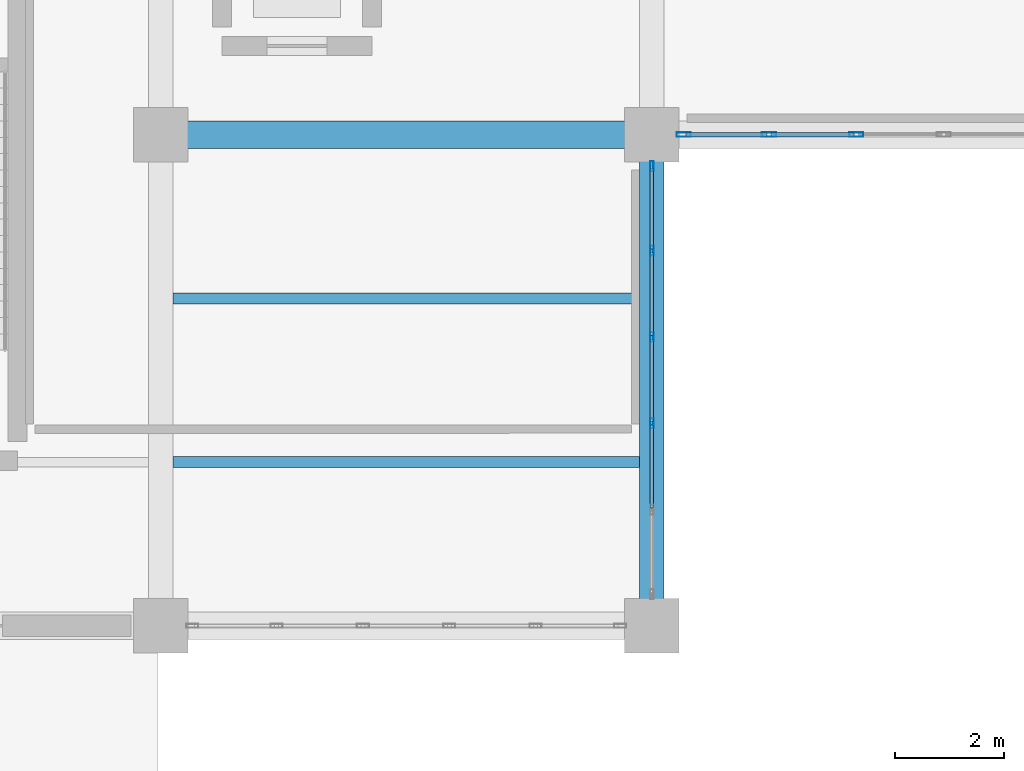
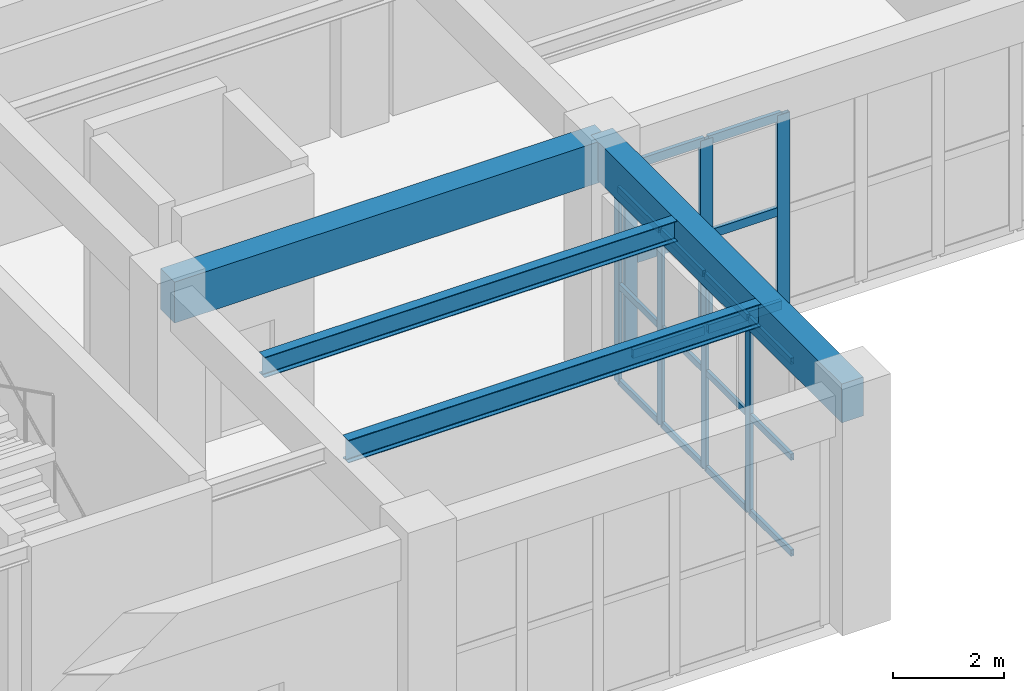
# One storey, part 81 of 140: 25 members, 4 beams, 2 elements without a shape of their own.
"""IFC4 building model written with IfcOpenShell, lengths in metres."""

from ifc_helpers import new_model, si_unit, direction, frame, origin, origin_2d, place, context, subcontext, project, spatial, rectangle, hollow_rectangle, i_section, extrude, material, material_profile, profile_set, type_object, element, aggregate, save


model = new_model("IFC4")

# Units and contexts
model_context = context("Model", 3, precision=1e-05, world=origin(), true_north=direction((0.0, 1.0)))
body_context = subcontext(model_context, "Body", "Model", "MODEL_VIEW")
ifc_project = project(units=[si_unit("LENGTHUNIT", "METRE"), si_unit("AREAUNIT", "SQUARE_METRE"), si_unit("VOLUMEUNIT", "CUBIC_METRE"), si_unit("PLANEANGLEUNIT", "RADIAN"), si_unit("MASSUNIT", "GRAM", prefix="KILO")], contexts=[model_context])

# Site, building, storey
site_placement = place(None, origin())
site = spatial("IfcSite", under=ifc_project, at=site_placement, CompositionType="ELEMENT")
building_placement = place(site_placement, origin())
building = spatial("IfcBuilding", under=site, at=building_placement, Name="Haizhuo Lancet Aquarium", CompositionType="ELEMENT")
storey_placement = place(building_placement, origin())
storey = spatial("IfcBuildingStorey", under=building, at=storey_placement, Name="L00", CompositionType="ELEMENT", Elevation=0.0)

# Beams
ifc_material_1 = material(Name="Concrete C40/50", Category="concrete")
ifc_material_profile_1 = material_profile(ifc_material_1, rectangle(XDim=0.449951171875, YDim=0.85009765625, at=origin_2d()), Name="RC-BM 450x850")
ifc_profile_set_1 = profile_set([ifc_material_profile_1], Name="Concrete C40/50")
beam_type_1 = type_object("IfcBeamType", Name="BM-RC-450x850", PredefinedType="BEAM", material=ifc_profile_set_1)
beam_1_placement = place(storey_placement, frame((72.0, -27.0, 4.695068359375), z_axis=(0.0, 1.0, 0.0), x_axis=(-1.0, 0.0, 0.0)))
element("IfcBeam", 1, at=beam_1_placement, inside=storey, type_object=beam_type_1, Name="L00 V3 primary girder BM-L00-V3-031", PredefinedType="BEAM", context=body_context, shape_type="SweptSolid", body=[
    extrude(rectangle(XDim=0.449951171875, YDim=0.85009765625, at=origin_2d()), origin(), (0.0, 0.0, 1.0), 9.0),
])
ifc_material_profile_2 = material_profile(ifc_material_1, rectangle(XDim=0.5, YDim=0.89990234375, at=origin_2d()), Name="RC-BM 500x900")
ifc_profile_set_2 = profile_set([ifc_material_profile_2], Name="Concrete C40/50")
beam_type_2 = type_object("IfcBeamType", Name="BM-RC-500x900", PredefinedType="BEAM", material=ifc_profile_set_2)
beam_2_placement = place(storey_placement, frame((63.0, -18.0, 4.669921875), z_axis=(1.0, 0.0, 0.0), x_axis=(0.0, 1.0, 0.0)))
element("IfcBeam", 2, at=beam_2_placement, inside=storey, type_object=beam_type_2, Name="L00 V3 primary girder BM-L00-V3-029", PredefinedType="BEAM", context=body_context, shape_type="SweptSolid", body=[
    extrude(rectangle(XDim=0.5, YDim=0.89990234375, at=origin_2d()), origin(), (0.0, 0.0, 1.0), 9.0),
])

# Curtain wall, members
ifc_material_2 = material(Name="Aluminium 6063-T6", Category="aluminium")
curtain_wall_type_1 = type_object("IfcCurtainWallType", Name="CWO-7910x4270", PredefinedType="NOTDEFINED", material=ifc_material_2)
curtain_wall_1_placement = place(storey_placement, origin())
curtain_wall_1 = element("IfcCurtainWall", 3, at=curtain_wall_1_placement, inside=storey, type_object=curtain_wall_type_1, Name="L00 curtain wall CW-V3-L00-034", PredefinedType="NOTDEFINED")
ifc_material_profile_3 = material_profile(ifc_material_2, hollow_rectangle(XDim=0.06494140625, YDim=0.179931640625, WallThickness=0.00390625, at=origin_2d()), Name="ALU-M 65x180x4")
ifc_profile_set_3 = profile_set([ifc_material_profile_3], Name="Aluminium 6063-T6")
member_type_1 = type_object("IfcMemberType", Name="CW-MUL-1", PredefinedType="MULLION", material=ifc_profile_set_3)
member_1_placement = place(storey_placement, frame((72.0, -18.577880859375, 0.0), z_axis=(0.0, 0.0, 1.0), x_axis=(1.0, 0.0, 0.0)))
member_1 = element("IfcMember", 4, at=member_1_placement, type_object=member_type_1, Name="CWO-79x42 mullion 1", PredefinedType="MULLION", context=body_context, shape_type="SweptSolid", body=[
    extrude(hollow_rectangle(XDim=0.06494140625, YDim=0.179931640625, WallThickness=0.00390625, at=origin_2d()), origin(), (0.0, 0.0, 1.0), 4.27001953125),
])
member_2_placement = place(storey_placement, frame((72.0, -20.126953125, 0.0), z_axis=(0.0, 0.0, 1.0), x_axis=(1.0, 0.0, 0.0)))
member_2 = element("IfcMember", 5, at=member_2_placement, type_object=member_type_1, Name="CWO-79x42 mullion 2", PredefinedType="MULLION", context=body_context, shape_type="SweptSolid", body=[
    extrude(hollow_rectangle(XDim=0.06494140625, YDim=0.179931640625, WallThickness=0.00390625, at=origin_2d()), origin(), (0.0, 0.0, 1.0), 4.27001953125),
])
member_3_placement = place(storey_placement, frame((72.0, -21.708984375, 0.0), z_axis=(0.0, 0.0, 1.0), x_axis=(1.0, 0.0, 0.0)))
member_3 = element("IfcMember", 6, at=member_3_placement, type_object=member_type_1, Name="CWO-79x42 mullion 3", PredefinedType="MULLION", context=body_context, shape_type="SweptSolid", body=[
    extrude(hollow_rectangle(XDim=0.06494140625, YDim=0.179931640625, WallThickness=0.00390625, at=origin_2d()), origin(), (0.0, 0.0, 1.0), 4.27001953125),
])
member_4_placement = place(storey_placement, frame((72.0, -23.291015625, 0.0), z_axis=(0.0, 0.0, 1.0), x_axis=(1.0, 0.0, 0.0)))
member_4 = element("IfcMember", 7, at=member_4_placement, type_object=member_type_1, Name="CWO-79x42 mullion 4", PredefinedType="MULLION", context=body_context, shape_type="SweptSolid", body=[
    extrude(hollow_rectangle(XDim=0.06494140625, YDim=0.179931640625, WallThickness=0.00390625, at=origin_2d()), origin(), (0.0, 0.0, 1.0), 4.27001953125),
])

curtain_wall_type_2 = type_object("IfcCurtainWallType", Name="CWO-9610x4220", PredefinedType="NOTDEFINED", material=ifc_material_2)
curtain_wall_2_placement = place(storey_placement, origin())
curtain_wall_2 = element("IfcCurtainWall", 8, at=curtain_wall_2_placement, inside=storey, type_object=curtain_wall_type_2, Name="L00 curtain wall CW-V3-L00-033", PredefinedType="NOTDEFINED")
ifc_material_profile_4 = material_profile(ifc_material_2, hollow_rectangle(XDim=0.080078125, YDim=0.260009765625, WallThickness=0.0048828125, at=origin_2d()), Name="ALU-M 80x260x5")
ifc_profile_set_4 = profile_set([ifc_material_profile_4], Name="Aluminium 6063-T6")
member_type_2 = type_object("IfcMemberType", Name="CW-MUL-3", PredefinedType="MULLION", material=ifc_profile_set_4)
member_5_placement = place(storey_placement, frame((75.748046875, -18.0, 0.0), z_axis=(0.0, 0.0, 1.0), x_axis=(0.0, -1.0, 0.0)))
member_5 = element("IfcMember", 9, at=member_5_placement, type_object=member_type_2, Name="CWO-96x42 mullion 5", PredefinedType="MULLION", context=body_context, shape_type="SweptSolid", body=[
    extrude(hollow_rectangle(XDim=0.080078125, YDim=0.260009765625, WallThickness=0.0048828125, at=origin_2d()), origin(), (0.0, 0.0, 1.0), 4.219970703125),
])
member_6_placement = place(storey_placement, frame((74.14697265625, -18.0, 0.0), z_axis=(0.0, 0.0, 1.0), x_axis=(0.0, -1.0, 0.0)))
member_6 = element("IfcMember", 10, at=member_6_placement, type_object=member_type_2, Name="CWO-96x42 mullion 6", PredefinedType="MULLION", context=body_context, shape_type="SweptSolid", body=[
    extrude(hollow_rectangle(XDim=0.080078125, YDim=0.260009765625, WallThickness=0.0048828125, at=origin_2d()), origin(), (0.0, 0.0, 1.0), 4.219970703125),
])
member_7_placement = place(storey_placement, frame((72.5849609375, -18.0, 0.0), z_axis=(0.0, 0.0, 1.0), x_axis=(0.0, -1.0, 0.0)))
member_7 = element("IfcMember", 11, at=member_7_placement, type_object=member_type_2, Name="CWO-96x42 mullion 7", PredefinedType="MULLION", context=body_context, shape_type="SweptSolid", body=[
    extrude(hollow_rectangle(XDim=0.080078125, YDim=0.260009765625, WallThickness=0.0048828125, at=origin_2d()), origin(), (0.0, 0.0, 1.0), 4.219970703125),
])

# Member
ifc_material_profile_5 = material_profile(ifc_material_2, hollow_rectangle(XDim=0.06494140625, YDim=0.139892578125, WallThickness=0.00390625, at=origin_2d()), Name="ALU-T 65x140x4")
ifc_profile_set_5 = profile_set([ifc_material_profile_5], Name="Aluminium 6063-T6")
member_type_3 = type_object("IfcMemberType", Name="CW-TRN-1", PredefinedType="NOTDEFINED", material=ifc_profile_set_5)
member_8_placement = place(storey_placement, frame((72.0, -18.610107421875, 0.032958984375), z_axis=(0.0, -1.0, 0.0), x_axis=(1.0, 0.0, 0.0)))
member_8 = element("IfcMember", 12, at=member_8_placement, type_object=member_type_3, Name="CWO-79x42 transom 1.1", ObjectType="TRANSOM", PredefinedType="USERDEFINED", context=body_context, shape_type="SweptSolid", body=[
    extrude(hollow_rectangle(XDim=0.06494140625, YDim=0.139892578125, WallThickness=0.00390625, at=origin_2d()), origin(), (0.0, 0.0, 1.0), 1.48486328125),
])

member_9_placement = place(storey_placement, frame((72.0, -18.610107421875, 2.135009765625), z_axis=(0.0, -1.0, 0.0), x_axis=(1.0, 0.0, 0.0)))
member_9 = element("IfcMember", 13, at=member_9_placement, type_object=member_type_3, Name="CWO-79x42 transom 1.2", ObjectType="TRANSOM", PredefinedType="USERDEFINED", context=body_context, shape_type="SweptSolid", body=[
    extrude(hollow_rectangle(XDim=0.06494140625, YDim=0.139892578125, WallThickness=0.00390625, at=origin_2d()), origin(), (0.0, 0.0, 1.0), 1.48486328125),
])

member_10_placement = place(storey_placement, frame((72.0, -18.610107421875, 4.237060546875), z_axis=(0.0, -1.0, 0.0), x_axis=(1.0, 0.0, 0.0)))
member_10 = element("IfcMember", 14, at=member_10_placement, type_object=member_type_3, Name="CWO-79x42 transom 1.3", ObjectType="TRANSOM", PredefinedType="USERDEFINED", context=body_context, shape_type="SweptSolid", body=[
    extrude(hollow_rectangle(XDim=0.06494140625, YDim=0.139892578125, WallThickness=0.00390625, at=origin_2d()), origin(), (0.0, 0.0, 1.0), 1.48486328125),
])

member_11_placement = place(storey_placement, frame((72.0, -20.159912109375, 0.032958984375), z_axis=(0.0, -1.0, 0.0), x_axis=(1.0, 0.0, 0.0)))
member_11 = element("IfcMember", 15, at=member_11_placement, type_object=member_type_3, Name="CWO-79x42 transom 2.1", ObjectType="TRANSOM", PredefinedType="USERDEFINED", context=body_context, shape_type="SweptSolid", body=[
    extrude(hollow_rectangle(XDim=0.06494140625, YDim=0.139892578125, WallThickness=0.00390625, at=origin_2d()), origin(), (0.0, 0.0, 1.0), 1.51708984375),
])

member_12_placement = place(storey_placement, frame((72.0, -20.159912109375, 2.135009765625), z_axis=(0.0, -1.0, 0.0), x_axis=(1.0, 0.0, 0.0)))
member_12 = element("IfcMember", 16, at=member_12_placement, type_object=member_type_3, Name="CWO-79x42 transom 2.2", ObjectType="TRANSOM", PredefinedType="USERDEFINED", context=body_context, shape_type="SweptSolid", body=[
    extrude(hollow_rectangle(XDim=0.06494140625, YDim=0.139892578125, WallThickness=0.00390625, at=origin_2d()), origin(), (0.0, 0.0, 1.0), 1.51708984375),
])

member_13_placement = place(storey_placement, frame((72.0, -20.159912109375, 4.237060546875), z_axis=(0.0, -1.0, 0.0), x_axis=(1.0, 0.0, 0.0)))
member_13 = element("IfcMember", 17, at=member_13_placement, type_object=member_type_3, Name="CWO-79x42 transom 2.3", ObjectType="TRANSOM", PredefinedType="USERDEFINED", context=body_context, shape_type="SweptSolid", body=[
    extrude(hollow_rectangle(XDim=0.06494140625, YDim=0.139892578125, WallThickness=0.00390625, at=origin_2d()), origin(), (0.0, 0.0, 1.0), 1.51708984375),
])

member_14_placement = place(storey_placement, frame((72.0, -21.741943359375, 0.032958984375), z_axis=(0.0, -1.0, 0.0), x_axis=(1.0, 0.0, 0.0)))
member_14 = element("IfcMember", 18, at=member_14_placement, type_object=member_type_3, Name="CWO-79x42 transom 3.1", ObjectType="TRANSOM", PredefinedType="USERDEFINED", context=body_context, shape_type="SweptSolid", body=[
    extrude(hollow_rectangle(XDim=0.06494140625, YDim=0.139892578125, WallThickness=0.00390625, at=origin_2d()), origin(), (0.0, 0.0, 1.0), 1.51708984375),
])

member_15_placement = place(storey_placement, frame((72.0, -21.741943359375, 2.135009765625), z_axis=(0.0, -1.0, 0.0), x_axis=(1.0, 0.0, 0.0)))
member_15 = element("IfcMember", 19, at=member_15_placement, type_object=member_type_3, Name="CWO-79x42 transom 3.2", ObjectType="TRANSOM", PredefinedType="USERDEFINED", context=body_context, shape_type="SweptSolid", body=[
    extrude(hollow_rectangle(XDim=0.06494140625, YDim=0.139892578125, WallThickness=0.00390625, at=origin_2d()), origin(), (0.0, 0.0, 1.0), 1.51708984375),
])

member_16_placement = place(storey_placement, frame((72.0, -21.741943359375, 4.237060546875), z_axis=(0.0, -1.0, 0.0), x_axis=(1.0, 0.0, 0.0)))
member_16 = element("IfcMember", 20, at=member_16_placement, type_object=member_type_3, Name="CWO-79x42 transom 3.3", ObjectType="TRANSOM", PredefinedType="USERDEFINED", context=body_context, shape_type="SweptSolid", body=[
    extrude(hollow_rectangle(XDim=0.06494140625, YDim=0.139892578125, WallThickness=0.00390625, at=origin_2d()), origin(), (0.0, 0.0, 1.0), 1.51708984375),
])

member_17_placement = place(storey_placement, frame((72.0, -23.322998046875, 0.032958984375), z_axis=(0.0, -1.0, 0.0), x_axis=(1.0, 0.0, 0.0)))
member_17 = element("IfcMember", 21, at=member_17_placement, type_object=member_type_3, Name="CWO-79x42 transom 4.1", ObjectType="TRANSOM", PredefinedType="USERDEFINED", context=body_context, shape_type="SweptSolid", body=[
    extrude(hollow_rectangle(XDim=0.06494140625, YDim=0.139892578125, WallThickness=0.00390625, at=origin_2d()), origin(), (0.0, 0.0, 1.0), 1.51708984375),
])

member_18_placement = place(storey_placement, frame((72.0, -23.322998046875, 2.135009765625), z_axis=(0.0, -1.0, 0.0), x_axis=(1.0, 0.0, 0.0)))
member_18 = element("IfcMember", 22, at=member_18_placement, type_object=member_type_3, Name="CWO-79x42 transom 4.2", ObjectType="TRANSOM", PredefinedType="USERDEFINED", context=body_context, shape_type="SweptSolid", body=[
    extrude(hollow_rectangle(XDim=0.06494140625, YDim=0.139892578125, WallThickness=0.00390625, at=origin_2d()), origin(), (0.0, 0.0, 1.0), 1.51708984375),
])

member_19_placement = place(storey_placement, frame((72.0, -23.322998046875, 4.237060546875), z_axis=(0.0, -1.0, 0.0), x_axis=(1.0, 0.0, 0.0)))
member_19 = element("IfcMember", 23, at=member_19_placement, type_object=member_type_3, Name="CWO-79x42 transom 4.3", ObjectType="TRANSOM", PredefinedType="USERDEFINED", context=body_context, shape_type="SweptSolid", body=[
    extrude(hollow_rectangle(XDim=0.06494140625, YDim=0.139892578125, WallThickness=0.00390625, at=origin_2d()), origin(), (0.0, 0.0, 1.0), 1.51708984375),
])

aggregate(curtain_wall_1, [member_1, member_2, member_3, member_4, member_8, member_9, member_10, member_11, member_12, member_13, member_14, member_15, member_16, member_17, member_18, member_19])

ifc_material_profile_6 = material_profile(ifc_material_2, hollow_rectangle(XDim=0.080078125, YDim=0.18994140625, WallThickness=0.0048828125, at=origin_2d()), Name="ALU-T 80x190x5")
ifc_profile_set_6 = profile_set([ifc_material_profile_6], Name="Aluminium 6063-T6")
member_type_4 = type_object("IfcMemberType", Name="CW-TRN-3", PredefinedType="NOTDEFINED", material=ifc_profile_set_6)
member_20_placement = place(storey_placement, frame((75.7080078125, -18.0, 0.0400390625), z_axis=(-1.0, 0.0, 0.0), x_axis=(0.0, -1.0, 0.0)))
member_20 = element("IfcMember", 24, at=member_20_placement, type_object=member_type_4, Name="CWO-96x42 transom 5.1", ObjectType="TRANSOM", PredefinedType="USERDEFINED", context=body_context, shape_type="SweptSolid", body=[
    extrude(hollow_rectangle(XDim=0.080078125, YDim=0.18994140625, WallThickness=0.0048828125, at=origin_2d()), origin(), (0.0, 0.0, 1.0), 1.52099609375),
])

member_21_placement = place(storey_placement, frame((75.7080078125, -18.0, 2.110107421875), z_axis=(-1.0, 0.0, 0.0), x_axis=(0.0, -1.0, 0.0)))
member_21 = element("IfcMember", 25, at=member_21_placement, type_object=member_type_4, Name="CWO-96x42 transom 5.2", ObjectType="TRANSOM", PredefinedType="USERDEFINED", context=body_context, shape_type="SweptSolid", body=[
    extrude(hollow_rectangle(XDim=0.080078125, YDim=0.18994140625, WallThickness=0.0048828125, at=origin_2d()), origin(), (0.0, 0.0, 1.0), 1.52099609375),
])

member_22_placement = place(storey_placement, frame((75.7080078125, -18.0, 4.179931640625), z_axis=(-1.0, 0.0, 0.0), x_axis=(0.0, -1.0, 0.0)))
member_22 = element("IfcMember", 26, at=member_22_placement, type_object=member_type_4, Name="CWO-96x42 transom 5.3", ObjectType="TRANSOM", PredefinedType="USERDEFINED", context=body_context, shape_type="SweptSolid", body=[
    extrude(hollow_rectangle(XDim=0.080078125, YDim=0.18994140625, WallThickness=0.0048828125, at=origin_2d()), origin(), (0.0, 0.0, 1.0), 1.52099609375),
])

member_23_placement = place(storey_placement, frame((74.10693359375, -18.0, 0.0400390625), z_axis=(-1.0, 0.0, 0.0), x_axis=(0.0, -1.0, 0.0)))
member_23 = element("IfcMember", 27, at=member_23_placement, type_object=member_type_4, Name="CWO-96x42 transom 6.1", ObjectType="TRANSOM", PredefinedType="USERDEFINED", context=body_context, shape_type="SweptSolid", body=[
    extrude(hollow_rectangle(XDim=0.080078125, YDim=0.18994140625, WallThickness=0.0048828125, at=origin_2d()), origin(), (0.0, 0.0, 1.0), 1.48193359375),
])

member_24_placement = place(storey_placement, frame((74.10693359375, -18.0, 2.110107421875), z_axis=(-1.0, 0.0, 0.0), x_axis=(0.0, -1.0, 0.0)))
member_24 = element("IfcMember", 28, at=member_24_placement, type_object=member_type_4, Name="CWO-96x42 transom 6.2", ObjectType="TRANSOM", PredefinedType="USERDEFINED", context=body_context, shape_type="SweptSolid", body=[
    extrude(hollow_rectangle(XDim=0.080078125, YDim=0.18994140625, WallThickness=0.0048828125, at=origin_2d()), origin(), (0.0, 0.0, 1.0), 1.48193359375),
])

member_25_placement = place(storey_placement, frame((74.10693359375, -18.0, 4.179931640625), z_axis=(-1.0, 0.0, 0.0), x_axis=(0.0, -1.0, 0.0)))
member_25 = element("IfcMember", 29, at=member_25_placement, type_object=member_type_4, Name="CWO-96x42 transom 6.3", ObjectType="TRANSOM", PredefinedType="USERDEFINED", context=body_context, shape_type="SweptSolid", body=[
    extrude(hollow_rectangle(XDim=0.080078125, YDim=0.18994140625, WallThickness=0.0048828125, at=origin_2d()), origin(), (0.0, 0.0, 1.0), 1.48193359375),
])

aggregate(curtain_wall_2, [member_5, member_6, member_7, member_20, member_21, member_22, member_23, member_24, member_25])

# Beams
ifc_material_3 = material(Name="Steel S355", Category="steel")
ifc_material_profile_7 = material_profile(ifc_material_3, i_section(OverallWidth=0.199951171875, OverallDepth=0.449951171875, WebThickness=0.009033203125, FlangeThickness=0.013916015625, FilletRadius=0.01806640625, at=origin_2d()), Name="HN 450x200x9x14")
ifc_profile_set_7 = profile_set([ifc_material_profile_7], Name="Steel S355")
beam_type_3 = type_object("IfcBeamType", Name="JST-ST-HN450", PredefinedType="JOIST", material=ifc_profile_set_7)
beam_3_placement = place(storey_placement, frame((63.22509765625, -21.0, 4.89501953125), z_axis=(1.0, 0.0, 0.0), x_axis=(0.0, 1.0, 0.0)))
element("IfcBeam", 30, at=beam_3_placement, inside=storey, type_object=beam_type_3, Name="L00 V3 secondary floor joist 20", PredefinedType="JOIST", context=body_context, shape_type="SweptSolid", body=[
    extrude(i_section(OverallWidth=0.199951171875, OverallDepth=0.449951171875, WebThickness=0.009033203125, FlangeThickness=0.013916015625, FilletRadius=0.01806640625, at=origin_2d()), origin(), (0.0, 0.0, 1.0), 8.5498046875),
])
ifc_material_profile_8 = material_profile(ifc_material_3, i_section(OverallWidth=0.199951171875, OverallDepth=0.5, WebThickness=0.010009765625, FlangeThickness=0.01611328125, FilletRadius=0.02001953125, at=origin_2d()), Name="HN 500x200x10x16")
ifc_profile_set_8 = profile_set([ifc_material_profile_8], Name="Steel S355")
beam_type_4 = type_object("IfcBeamType", Name="JST-ST-HN500", PredefinedType="JOIST", material=ifc_profile_set_8)
beam_4_placement = place(storey_placement, frame((63.22509765625, -24.0, 4.8701171875), z_axis=(1.0, 0.0, 0.0), x_axis=(0.0, 1.0, 0.0)))
element("IfcBeam", 31, at=beam_4_placement, inside=storey, type_object=beam_type_4, Name="L00 V3 secondary floor joist 19", PredefinedType="JOIST", context=body_context, shape_type="SweptSolid", body=[
    extrude(i_section(OverallWidth=0.199951171875, OverallDepth=0.5, WebThickness=0.010009765625, FlangeThickness=0.01611328125, FilletRadius=0.02001953125, at=origin_2d()), origin(), (0.0, 0.0, 1.0), 8.5498046875),
])

save(model, "model.ifc")
